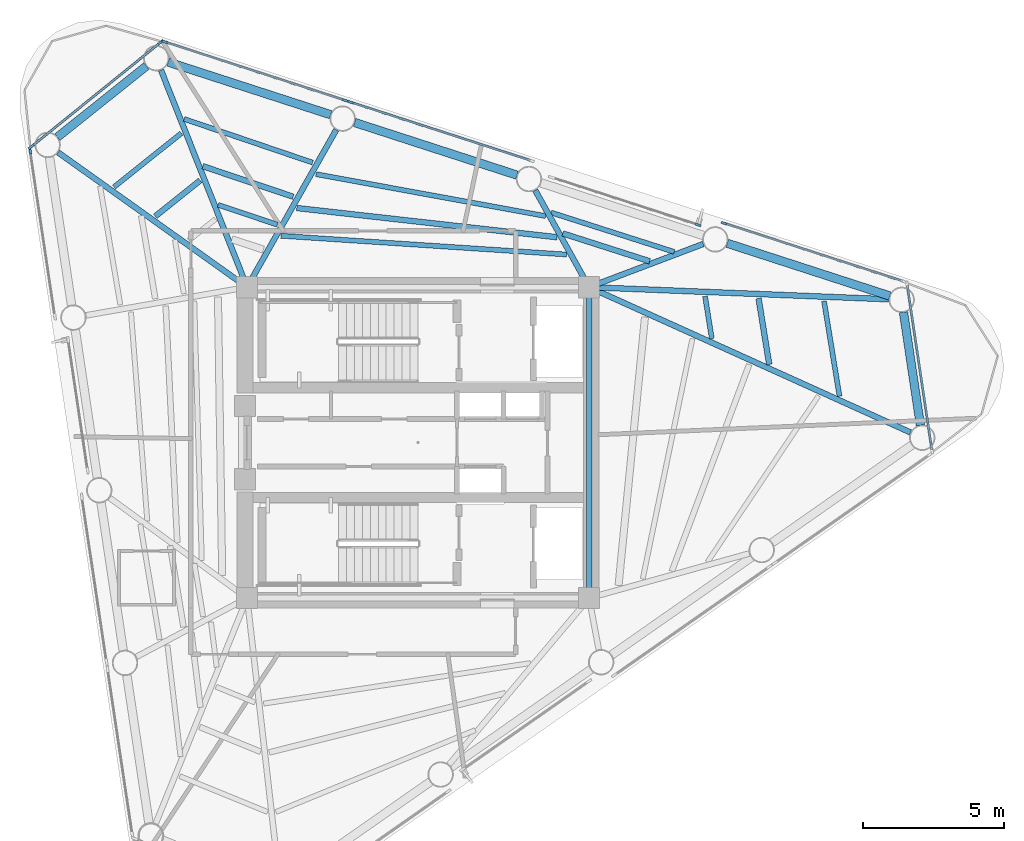
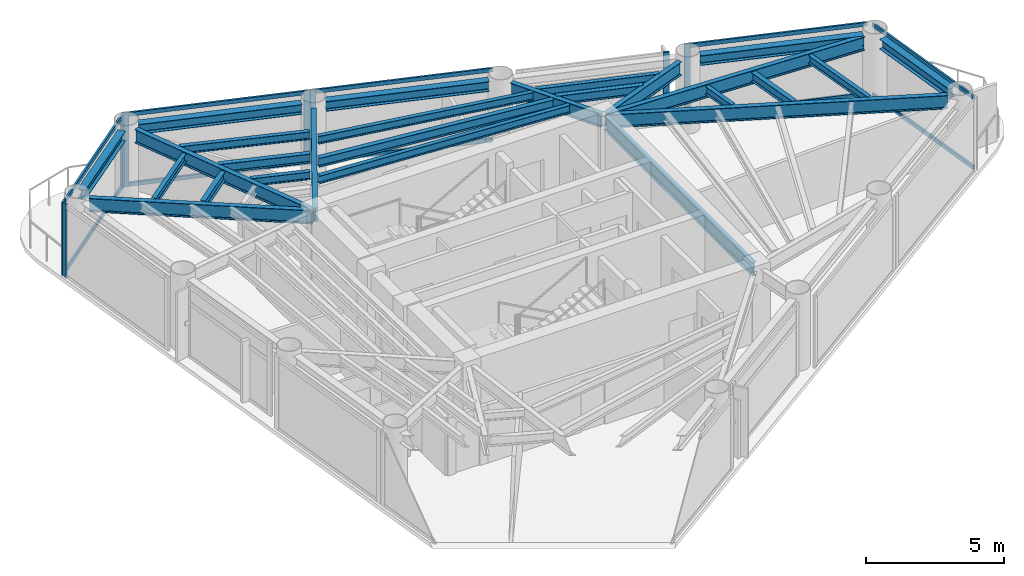
# One storey, part 3 of 9: 26 beams, 18 members, 7 elements without a shape of their own.
"""IFC4 building model written with IfcOpenShell, lengths in metres."""

from ifc_helpers import new_model, si_unit, direction, frame, origin, origin_2d, place, context, subcontext, project, spatial, rectangle, i_section, extrude, source, transform, mapped, material, layer, layer_set, material_profile, profile_set, type_object, element, aggregate, save


model = new_model("IFC4")

# Units and contexts
model_context = context("Model", 3, precision=1e-05, world=origin(), true_north=direction((0.0, 1.0)))
body_context = subcontext(model_context, "Body", "Model", "MODEL_VIEW")
ifc_project = project(units=[si_unit("LENGTHUNIT", "METRE"), si_unit("AREAUNIT", "SQUARE_METRE"), si_unit("VOLUMEUNIT", "CUBIC_METRE"), si_unit("PLANEANGLEUNIT", "RADIAN"), si_unit("MASSUNIT", "GRAM", prefix="KILO")], contexts=[model_context])

# Site, building, storey
site_placement = place(None, origin())
site = spatial("IfcSite", under=ifc_project, at=site_placement, CompositionType="ELEMENT")
building_placement = place(site_placement, origin())
building = spatial("IfcBuilding", under=site, at=building_placement, Name="Yunling Apex Tower", CompositionType="ELEMENT")
storey_placement = place(building_placement, frame((0.0, 0.0, 281.35009765625)))
storey = spatial("IfcBuildingStorey", under=building, at=storey_placement, Name="L69", CompositionType="ELEMENT", Elevation=281.35009765625)

# Beams
ifc_material_1 = material(Name="Steel Q355B", Category="steel")
ifc_material_profile_1 = material_profile(ifc_material_1, i_section(OverallWidth=0.199951171875, OverallDepth=0.60009765625, WebThickness=0.010986328125, FlangeThickness=0.01708984375, FilletRadius=0.02197265625, at=origin_2d()))
ifc_profile_set_1 = profile_set([ifc_material_profile_1], Name="Steel Q355B")
beam_type_1 = type_object("IfcBeamType", Name="BG-PRI-5", PredefinedType="USERDEFINED", material=ifc_profile_set_1)
shared_shape_1 = source(origin(), body_context, "Body", "SweptSolid", [
    extrude(i_section(OverallWidth=0.199951171875, OverallDepth=0.60009765625, WebThickness=0.010986328125, FlangeThickness=0.01708984375, FilletRadius=0.02197265625, at=origin_2d()), origin(), (0.0, 0.0, 1.0), 10.7001953125),
])
beam_1_placement = place(storey_placement, frame((6.050048828125, -5.35009765625, 2.8798828125), z_axis=(0.0, 1.0, 0.0), x_axis=(-1.0, 0.0, 0.0)))
element("IfcBeam", 1, at=beam_1_placement, inside=storey, type_object=beam_type_1, Name="L69 Core Ring Tie Beam 2", ObjectType="GIRDER", PredefinedType="USERDEFINED", context=body_context, shape_type="MappedRepresentation", body=[
    mapped(shared_shape_1, transform((0.0, 0.0, 0.0), scale=1.0)),
])
ifc_material_profile_2 = material_profile(ifc_material_1, i_section(OverallWidth=0.300048828125, OverallDepth=0.43994140625, WebThickness=0.010986328125, FlangeThickness=0.01806640625, FilletRadius=0.02197265625, at=origin_2d()))
ifc_profile_set_2 = profile_set([ifc_material_profile_2], Name="Steel Q355B")
beam_type_2 = type_object("IfcBeamType", Name="BP-SPN-3", PredefinedType="SPANDREL", material=ifc_profile_set_2)
shared_shape_2 = source(origin(), body_context, "Body", "SweptSolid", [
    extrude(i_section(OverallWidth=0.300048828125, OverallDepth=0.43994140625, WebThickness=0.010986328125, FlangeThickness=0.01806640625, FilletRadius=0.02197265625, at=origin_2d()), origin(), (0.0, 0.0, 1.0), 6.043701171875),
])
for number, where, z_axis, x_axis, name in (
    (2, (16.687744140625, 5.189208984375, 2.9599609375), (-0.951260618597, 0.308388124782, 0.0), (-0.308388124782, -0.951260618597, 0.0), "L69 Perimeter Spandrel Beam 6"),
    (3, (3.5, 9.464111328125, 2.9599609375), (-0.951264460229, 0.30837627455, 0.0), (-0.30837627455, -0.951264460229, 0.0), "L69 Perimeter Spandrel Beam 8"),
    (4, (-3.093994140625, 11.601806640625, 2.9599609375), (-0.951276309474, 0.308339720167, 0.0), (-0.308339720167, -0.951276309474, 0.0), "L69 Perimeter Spandrel Beam 9"),
):
    element("IfcBeam", number, at=place(storey_placement, frame(where, z_axis=z_axis, x_axis=x_axis)), inside=storey, type_object=beam_type_2, Name=name, PredefinedType="SPANDREL", context=body_context, shape_type="MappedRepresentation", body=[
        mapped(shared_shape_2, transform((0.0, 0.0, 0.0), scale=1.0)),
    ])
shared_shape_3 = source(origin(), body_context, "Body", "SweptSolid", [
    extrude(i_section(OverallWidth=0.300048828125, OverallDepth=0.43994140625, WebThickness=0.010986328125, FlangeThickness=0.01806640625, FilletRadius=0.02197265625, at=origin_2d()), origin(), (0.0, 0.0, 1.0), 4.047607421875),
])
beam_2_placement = place(storey_placement, frame((17.774169921875, 0.610107421875, 2.9599609375), z_axis=(-0.147836074483, 0.98901187813, 0.0), x_axis=(-0.98901187813, -0.147836074483, 0.0)))
element("IfcBeam", 5, at=beam_2_placement, inside=storey, type_object=beam_type_2, Name="L69 Perimeter Spandrel Beam 5", PredefinedType="SPANDREL", context=body_context, shape_type="MappedRepresentation", body=[
    mapped(shared_shape_3, transform((0.0, 0.0, 0.0), scale=1.0)),
])
shared_shape_4 = source(origin(), body_context, "Body", "SweptSolid", [
    extrude(i_section(OverallWidth=0.300048828125, OverallDepth=0.43994140625, WebThickness=0.010986328125, FlangeThickness=0.01806640625, FilletRadius=0.02197265625, at=origin_2d()), origin(), (0.0, 0.0, 1.0), 4.03125),
])
beam_3_placement = place(storey_placement, frame((-9.612548828125, 13.3251953125, 2.9599609375), z_axis=(-0.781412081213, -0.624015351842, 0.0), x_axis=(0.624015351842, -0.781412081213, 0.0)))
element("IfcBeam", 6, at=beam_3_placement, inside=storey, type_object=beam_type_2, Name="L69 Perimeter Spandrel Beam 10", PredefinedType="SPANDREL", context=body_context, shape_type="MappedRepresentation", body=[
    mapped(shared_shape_4, transform((0.0, 0.0, 0.0), scale=1.0)),
])
shared_shape_5 = source(origin(), body_context, "Body", "SweptSolid", [
    extrude(i_section(OverallWidth=0.199951171875, OverallDepth=0.60009765625, WebThickness=0.010986328125, FlangeThickness=0.01708984375, FilletRadius=0.02197265625, at=origin_2d()), origin(), (0.0, 0.0, 1.0), 12.400146484375),
])
beam_4_placement = place(storey_placement, frame((17.42236328125, 0.359619140625, 2.8798828125), z_axis=(-0.911237617223, 0.411881056809, 0.0), x_axis=(-0.411881056809, -0.911237617223, 0.0)))
element("IfcBeam", 7, at=beam_4_placement, inside=storey, type_object=beam_type_1, Name="L69 Radial Primary Girder R05", ObjectType="GIRDER", PredefinedType="USERDEFINED", context=body_context, shape_type="MappedRepresentation", body=[
    mapped(shared_shape_5, transform((0.0, 0.0, 0.0), scale=1.0)),
])
shared_shape_6 = source(origin(), body_context, "Body", "SweptSolid", [
    extrude(i_section(OverallWidth=0.199951171875, OverallDepth=0.60009765625, WebThickness=0.010986328125, FlangeThickness=0.01708984375, FilletRadius=0.02197265625, at=origin_2d()), origin(), (0.0, 0.0, 1.0), 10.53125),
])
beam_5_placement = place(storey_placement, frame((16.652587890625, 5.07080078125, 2.8798828125), z_axis=(-0.99918143594, 0.040453158992, 0.0), x_axis=(-0.040453158992, -0.99918143594, 0.0)))
element("IfcBeam", 8, at=beam_5_placement, inside=storey, type_object=beam_type_1, Name="L69 Radial Primary Girder R06", ObjectType="GIRDER", PredefinedType="USERDEFINED", context=body_context, shape_type="MappedRepresentation", body=[
    mapped(shared_shape_6, transform((0.0, 0.0, 0.0), scale=1.0)),
])
shared_shape_7 = source(origin(), body_context, "Body", "SweptSolid", [
    extrude(i_section(OverallWidth=0.199951171875, OverallDepth=0.60009765625, WebThickness=0.010986328125, FlangeThickness=0.01708984375, FilletRadius=0.02197265625, at=origin_2d()), origin(), (0.0, 0.0, 1.0), 4.2373046875),
])
beam_6_placement = place(storey_placement, frame((10.087890625, 7.02783203125, 2.8798828125), z_axis=(-0.935290380754, -0.353881199938, 0.0), x_axis=(0.353881199938, -0.935290380754, 0.0)))
element("IfcBeam", 9, at=beam_6_placement, inside=storey, type_object=beam_type_1, Name="L69 Radial Primary Girder R07", ObjectType="GIRDER", PredefinedType="USERDEFINED", context=body_context, shape_type="MappedRepresentation", body=[
    mapped(shared_shape_7, transform((0.0, 0.0, 0.0), scale=1.0)),
])
shared_shape_8 = source(origin(), body_context, "Body", "SweptSolid", [
    extrude(i_section(OverallWidth=0.199951171875, OverallDepth=0.60009765625, WebThickness=0.010986328125, FlangeThickness=0.01708984375, FilletRadius=0.02197265625, at=origin_2d()), origin(), (0.0, 0.0, 1.0), 3.841064453125),
])
beam_7_placement = place(storey_placement, frame((4.144775390625, 8.927001953125, 2.8798828125), z_axis=(0.485864181632, -0.874034322557, 0.0), x_axis=(0.874034322557, 0.485864181632, 0.0)))
element("IfcBeam", 10, at=beam_7_placement, inside=storey, type_object=beam_type_1, Name="L69 Radial Primary Girder R08", ObjectType="GIRDER", PredefinedType="USERDEFINED", context=body_context, shape_type="MappedRepresentation", body=[
    mapped(shared_shape_8, transform((0.0, 0.0, 0.0), scale=1.0)),
])
shared_shape_9 = source(origin(), body_context, "Body", "SweptSolid", [
    extrude(i_section(OverallWidth=0.199951171875, OverallDepth=0.60009765625, WebThickness=0.010986328125, FlangeThickness=0.01708984375, FilletRadius=0.02197265625, at=origin_2d()), origin(), (0.0, 0.0, 1.0), 6.317138671875),
])
beam_8_placement = place(storey_placement, frame((-2.8974609375, 11.06640625, 2.8798828125), z_axis=(-0.492793153417, -0.870146486487, 0.0), x_axis=(0.870146486487, -0.492793153417, 0.0)))
element("IfcBeam", 11, at=beam_8_placement, inside=storey, type_object=beam_type_1, Name="L69 Radial Primary Girder R09", ObjectType="GIRDER", PredefinedType="USERDEFINED", context=body_context, shape_type="MappedRepresentation", body=[
    mapped(shared_shape_9, transform((0.0, 0.0, 0.0), scale=1.0)),
])
shared_shape_10 = source(origin(), body_context, "Body", "SweptSolid", [
    extrude(i_section(OverallWidth=0.199951171875, OverallDepth=0.60009765625, WebThickness=0.010986328125, FlangeThickness=0.01708984375, FilletRadius=0.02197265625, at=origin_2d()), origin(), (0.0, 0.0, 1.0), 8.178955078125),
])
beam_9_placement = place(storey_placement, frame((-9.0966796875, 13.176513671875, 2.8798828125), z_axis=(0.368888092437, -0.929473816338, 0.0), x_axis=(0.929473816338, 0.368888092437, 0.0)))
element("IfcBeam", 12, at=beam_9_placement, inside=storey, type_object=beam_type_1, Name="L69 Radial Primary Girder R10", ObjectType="GIRDER", PredefinedType="USERDEFINED", context=body_context, shape_type="MappedRepresentation", body=[
    mapped(shared_shape_10, transform((0.0, 0.0, 0.0), scale=1.0)),
])
shared_shape_11 = source(origin(), body_context, "Body", "SweptSolid", [
    extrude(i_section(OverallWidth=0.199951171875, OverallDepth=0.60009765625, WebThickness=0.010986328125, FlangeThickness=0.01708984375, FilletRadius=0.02197265625, at=origin_2d()), origin(), (0.0, 0.0, 1.0), 8.132080078125),
])
beam_10_placement = place(storey_placement, frame((-12.73681640625, 10.2666015625, 2.8798828125), z_axis=(0.814294994921, -0.580451256564, 0.0), x_axis=(0.580451256564, 0.814294994921, 0.0)))
element("IfcBeam", 13, at=beam_10_placement, inside=storey, type_object=beam_type_1, Name="L69 Radial Primary Girder R11", ObjectType="GIRDER", PredefinedType="USERDEFINED", context=body_context, shape_type="MappedRepresentation", body=[
    mapped(shared_shape_11, transform((0.0, 0.0, 0.0), scale=1.0)),
])
ifc_material_profile_3 = material_profile(ifc_material_1, i_section(OverallWidth=0.199951171875, OverallDepth=0.39990234375, WebThickness=0.008056640625, FlangeThickness=0.012939453125, FilletRadius=0.01611328125, at=origin_2d()))
ifc_profile_set_3 = profile_set([ifc_material_profile_3], Name="Steel Q355B")
beam_type_3 = type_object("IfcBeamType", Name="BS-SEC-4", PredefinedType="BEAM", material=ifc_profile_set_3)
shared_shape_12 = source(origin(), body_context, "Body", "SweptSolid", [
    extrude(i_section(OverallWidth=0.199951171875, OverallDepth=0.39990234375, WebThickness=0.008056640625, FlangeThickness=0.012939453125, FilletRadius=0.01611328125, at=origin_2d()), origin(), (0.0, 0.0, 1.0), 2.36572265625),
])
beam_11_placement = place(storey_placement, frame((12.425048828125, 2.764892578125, 2.97998046875), z_axis=(-0.159342756426, 0.987223321227, 0.0), x_axis=(-0.987223321227, -0.159342756426, 0.0)))
element("IfcBeam", 14, at=beam_11_placement, inside=storey, type_object=beam_type_3, Name="L69 Composite Floor Beam BS-5", PredefinedType="BEAM", context=body_context, shape_type="MappedRepresentation", body=[
    mapped(shared_shape_12, transform((0.0, 0.0, 0.0), scale=1.0)),
])
ifc_material_profile_4 = material_profile(ifc_material_1, i_section(OverallWidth=0.175048828125, OverallDepth=0.35009765625, WebThickness=0.007080078125, FlangeThickness=0.010986328125, FilletRadius=0.013916015625, at=origin_2d()))
ifc_profile_set_4 = profile_set([ifc_material_profile_4], Name="Steel Q355B")
beam_type_4 = type_object("IfcBeamType", Name="BJ-JST-1", PredefinedType="JOIST", material=ifc_profile_set_4)
shared_shape_13 = source(origin(), body_context, "Body", "SweptSolid", [
    extrude(i_section(OverallWidth=0.175048828125, OverallDepth=0.35009765625, WebThickness=0.007080078125, FlangeThickness=0.010986328125, FilletRadius=0.013916015625, at=origin_2d()), origin(), (0.0, 0.0, 1.0), 3.40966796875),
])
beam_12_placement = place(storey_placement, frame((14.910888671875, 1.64111328125, 3.0048828125), z_axis=(-0.160600982695, 0.987019414377, 0.0), x_axis=(-0.987019414377, -0.160600982695, 0.0)))
element("IfcBeam", 15, at=beam_12_placement, inside=storey, type_object=beam_type_4, Name="L69 Composite Floor Joist BJ1-5", PredefinedType="JOIST", context=body_context, shape_type="MappedRepresentation", body=[
    mapped(shared_shape_13, transform((0.0, 0.0, 0.0), scale=1.0)),
])
shared_shape_14 = source(origin(), body_context, "Body", "SweptSolid", [
    extrude(i_section(OverallWidth=0.175048828125, OverallDepth=0.35009765625, WebThickness=0.007080078125, FlangeThickness=0.010986328125, FilletRadius=0.013916015625, at=origin_2d()), origin(), (0.0, 0.0, 1.0), 1.51171875),
])
beam_13_placement = place(storey_placement, frame((10.3916015625, 3.68408203125, 3.0048828125), z_axis=(-0.157297614413, 0.987551244493, 0.0), x_axis=(-0.987551244493, -0.157297614413, 0.0)))
element("IfcBeam", 16, at=beam_13_placement, inside=storey, type_object=beam_type_4, Name="L69 Composite Floor Joist BJ3-5", PredefinedType="JOIST", context=body_context, shape_type="MappedRepresentation", body=[
    mapped(shared_shape_14, transform((0.0, 0.0, 0.0), scale=1.0)),
])
shared_shape_15 = source(origin(), body_context, "Body", "SweptSolid", [
    extrude(i_section(OverallWidth=0.199951171875, OverallDepth=0.39990234375, WebThickness=0.008056640625, FlangeThickness=0.012939453125, FilletRadius=0.01611328125, at=origin_2d()), origin(), (0.0, 0.0, 1.0), 3.22705078125),
])
beam_14_placement = place(storey_placement, frame((8.191650390625, 6.416748046875, 2.97998046875), z_axis=(-0.952339781695, 0.305039243708, 0.0), x_axis=(-0.305039243708, -0.952339781695, 0.0)))
element("IfcBeam", 17, at=beam_14_placement, inside=storey, type_object=beam_type_3, Name="L69 Composite Floor Beam BS-7", PredefinedType="BEAM", context=body_context, shape_type="MappedRepresentation", body=[
    mapped(shared_shape_15, transform((0.0, 0.0, 0.0), scale=1.0)),
])
shared_shape_16 = source(origin(), body_context, "Body", "SweptSolid", [
    extrude(i_section(OverallWidth=0.175048828125, OverallDepth=0.35009765625, WebThickness=0.007080078125, FlangeThickness=0.010986328125, FilletRadius=0.013916015625, at=origin_2d()), origin(), (0.0, 0.0, 1.0), 4.572998046875),
])
beam_15_placement = place(storey_placement, frame((9.0634765625, 6.74658203125, 3.0048828125), z_axis=(-0.952472485452, 0.304624628776, 0.0), x_axis=(-0.304624628776, -0.952472485452, 0.0)))
element("IfcBeam", 18, at=beam_15_placement, inside=storey, type_object=beam_type_4, Name="L69 Composite Floor Joist BJ1-7", PredefinedType="JOIST", context=body_context, shape_type="MappedRepresentation", body=[
    mapped(shared_shape_16, transform((0.0, 0.0, 0.0), scale=1.0)),
])
shared_shape_17 = source(origin(), body_context, "Body", "SweptSolid", [
    extrude(i_section(OverallWidth=0.199951171875, OverallDepth=0.39990234375, WebThickness=0.008056640625, FlangeThickness=0.012939453125, FilletRadius=0.01611328125, at=origin_2d()), origin(), (0.0, 0.0, 1.0), 9.271728515625),
])
beam_16_placement = place(storey_placement, frame((4.9189453125, 7.266357421875, 2.97998046875), z_axis=(-0.993765641634, 0.111489234941, 0.0), x_axis=(-0.111489234941, -0.993765641634, 0.0)))
element("IfcBeam", 19, at=beam_16_placement, inside=storey, type_object=beam_type_3, Name="L69 Composite Floor Beam BS-8", PredefinedType="BEAM", context=body_context, shape_type="MappedRepresentation", body=[
    mapped(shared_shape_17, transform((0.0, 0.0, 0.0), scale=1.0)),
])
shared_shape_18 = source(origin(), body_context, "Body", "SweptSolid", [
    extrude(i_section(OverallWidth=0.175048828125, OverallDepth=0.35009765625, WebThickness=0.007080078125, FlangeThickness=0.010986328125, FilletRadius=0.013916015625, at=origin_2d()), origin(), (0.0, 0.0, 1.0), 8.256103515625),
])
beam_17_placement = place(storey_placement, frame((4.510009765625, 8.015625, 3.0048828125), z_axis=(-0.983737162393, 0.179614017626, 0.0), x_axis=(-0.179614017626, -0.983737162393, 0.0)))
element("IfcBeam", 20, at=beam_17_placement, inside=storey, type_object=beam_type_4, Name="L69 Composite Floor Joist BJ1-8", PredefinedType="JOIST", context=body_context, shape_type="MappedRepresentation", body=[
    mapped(shared_shape_18, transform((0.0, 0.0, 0.0), scale=1.0)),
])
shared_shape_19 = source(origin(), body_context, "Body", "SweptSolid", [
    extrude(i_section(OverallWidth=0.175048828125, OverallDepth=0.35009765625, WebThickness=0.007080078125, FlangeThickness=0.010986328125, FilletRadius=0.013916015625, at=origin_2d()), origin(), (0.0, 0.0, 1.0), 10.130615234375),
])
beam_18_placement = place(storey_placement, frame((5.254150390625, 6.654541015625, 3.0048828125), z_axis=(-0.997852458327, 0.065501690135, 0.0), x_axis=(-0.065501690135, -0.997852458327, 0.0)))
element("IfcBeam", 21, at=beam_18_placement, inside=storey, type_object=beam_type_4, Name="L69 Composite Floor Joist BJ3-8", PredefinedType="JOIST", context=body_context, shape_type="MappedRepresentation", body=[
    mapped(shared_shape_19, transform((0.0, 0.0, 0.0), scale=1.0)),
])
shared_shape_20 = source(origin(), body_context, "Body", "SweptSolid", [
    extrude(i_section(OverallWidth=0.199951171875, OverallDepth=0.39990234375, WebThickness=0.008056640625, FlangeThickness=0.012939453125, FilletRadius=0.01611328125, at=origin_2d()), origin(), (0.0, 0.0, 1.0), 3.37646484375),
])
beam_19_placement = place(storey_placement, frame((-4.418701171875, 8.698974609375, 2.97998046875), z_axis=(-0.947337172377, 0.320237851966, 0.0), x_axis=(-0.320237851966, -0.947337172377, 0.0)))
element("IfcBeam", 22, at=beam_19_placement, inside=storey, type_object=beam_type_3, Name="L69 Composite Floor Beam BS-9", PredefinedType="BEAM", context=body_context, shape_type="MappedRepresentation", body=[
    mapped(shared_shape_20, transform((0.0, 0.0, 0.0), scale=1.0)),
])
shared_shape_21 = source(origin(), body_context, "Body", "SweptSolid", [
    extrude(i_section(OverallWidth=0.175048828125, OverallDepth=0.35009765625, WebThickness=0.007080078125, FlangeThickness=0.010986328125, FilletRadius=0.013916015625, at=origin_2d()), origin(), (0.0, 0.0, 1.0), 4.802490234375),
])
beam_20_placement = place(storey_placement, frame((-3.73388671875, 9.908447265625, 3.0048828125), z_axis=(-0.946894147211, 0.32154544621, 0.0), x_axis=(-0.32154544621, -0.946894147211, 0.0)))
element("IfcBeam", 23, at=beam_20_placement, inside=storey, type_object=beam_type_4, Name="L69 Composite Floor Joist BJ1-9", PredefinedType="JOIST", context=body_context, shape_type="MappedRepresentation", body=[
    mapped(shared_shape_21, transform((0.0, 0.0, 0.0), scale=1.0)),
])
shared_shape_22 = source(origin(), body_context, "Body", "SweptSolid", [
    extrude(i_section(OverallWidth=0.175048828125, OverallDepth=0.35009765625, WebThickness=0.007080078125, FlangeThickness=0.010986328125, FilletRadius=0.013916015625, at=origin_2d()), origin(), (0.0, 0.0, 1.0), 2.209716796875),
])
beam_21_placement = place(storey_placement, frame((-4.979248046875, 7.709228515625, 3.0048828125), z_axis=(-0.948029450248, 0.318182591389, 0.0), x_axis=(-0.318182591389, -0.948029450248, 0.0)))
element("IfcBeam", 24, at=beam_21_placement, inside=storey, type_object=beam_type_4, Name="L69 Composite Floor Joist BJ3-9", PredefinedType="JOIST", context=body_context, shape_type="MappedRepresentation", body=[
    mapped(shared_shape_22, transform((0.0, 0.0, 0.0), scale=1.0)),
])
shared_shape_23 = source(origin(), body_context, "Body", "SweptSolid", [
    extrude(i_section(OverallWidth=0.199951171875, OverallDepth=0.39990234375, WebThickness=0.008056640625, FlangeThickness=0.012939453125, FilletRadius=0.01611328125, at=origin_2d()), origin(), (0.0, 0.0, 1.0), 2.032958984375),
])
beam_22_placement = place(storey_placement, frame((-7.712890625, 9.275634765625, 2.97998046875), z_axis=(-0.781161617118, -0.624328862013, 0.0), x_axis=(0.624328862013, -0.781161617118, 0.0)))
element("IfcBeam", 25, at=beam_22_placement, inside=storey, type_object=beam_type_3, Name="L69 Composite Floor Beam BS-10", PredefinedType="BEAM", context=body_context, shape_type="MappedRepresentation", body=[
    mapped(shared_shape_23, transform((0.0, 0.0, 0.0), scale=1.0)),
])
shared_shape_24 = source(origin(), body_context, "Body", "SweptSolid", [
    extrude(i_section(OverallWidth=0.175048828125, OverallDepth=0.35009765625, WebThickness=0.007080078125, FlangeThickness=0.010986328125, FilletRadius=0.013916015625, at=origin_2d()), origin(), (0.0, 0.0, 1.0), 3.048095703125),
])
beam_23_placement = place(storey_placement, frame((-8.376708984375, 10.947998046875, 3.0048828125), z_axis=(-0.78115784601, -0.624333580401, 0.0), x_axis=(0.624333580401, -0.78115784601, 0.0)))
element("IfcBeam", 26, at=beam_23_placement, inside=storey, type_object=beam_type_4, Name="L69 Composite Floor Joist BJ1-10", PredefinedType="JOIST", context=body_context, shape_type="MappedRepresentation", body=[
    mapped(shared_shape_24, transform((0.0, 0.0, 0.0), scale=1.0)),
])

# Curtain wall, member
ifc_material_2 = material(Name="Bronze anodised aluminium", Category="aluminium")
ifc_layer = layer(ifc_material_2, 0.219970703125)
ifc_layer_set = layer_set([ifc_layer], Name="Bronze anodised aluminium")
curtain_wall_type = type_object("IfcCurtainWallType", Name="CW-SYS-4", PredefinedType="NOTDEFINED", material=ifc_layer_set)
curtain_wall_1_placement = place(storey_placement, origin())
curtain_wall_1 = element("IfcCurtainWall", 27, at=curtain_wall_1_placement, inside=storey, type_object=curtain_wall_type, Name="CW-L69-F2-B1", PredefinedType="NOTDEFINED")
ifc_material_profile_5 = material_profile(ifc_material_2, rectangle(XDim=0.080078125, YDim=0.219970703125, at=origin_2d()))
ifc_profile_set_5 = profile_set([ifc_material_profile_5], Name="Bronze anodised aluminium")
member_type_1 = type_object("IfcMemberType", Name="CW-MUL-4", PredefinedType="MULLION", material=ifc_profile_set_5)
shared_shape_25 = source(origin(), body_context, "Body", "SweptSolid", [
    extrude(rectangle(XDim=0.080078125, YDim=0.219970703125, at=origin_2d()), origin(), (0.0, 0.0, 1.0), 3.280029296875),
])
member_1_placement = place(storey_placement, frame((10.82763671875, 7.76171875, -0.050048828125), z_axis=(0.0, 0.0, 1.0), x_axis=(-0.308353381834, -0.951271881173, 0.0)))
member_1 = element("IfcMember", 28, at=member_1_placement, type_object=member_type_1, Name="CW-SYS-4 mullion 2", PredefinedType="MULLION", context=body_context, shape_type="MappedRepresentation", body=[
    mapped(shared_shape_25, transform((0.0, 0.0, 0.0), scale=1.0)),
])

curtain_wall_2_placement = place(storey_placement, origin())
curtain_wall_2 = element("IfcCurtainWall", 29, at=curtain_wall_2_placement, inside=storey, type_object=curtain_wall_type, Name="CW-L69-F2-B2", PredefinedType="NOTDEFINED")
member_2_placement = place(storey_placement, frame((9.90478515625, 7.703369140625, -0.050048828125), z_axis=(0.0, 0.0, 1.0), x_axis=(-0.30836941685, -0.951266683297, 0.0)))
member_2 = element("IfcMember", 30, at=member_2_placement, type_object=member_type_1, Name="CW-SYS-4 mullion 1", PredefinedType="MULLION", context=body_context, shape_type="MappedRepresentation", body=[
    mapped(shared_shape_25, transform((0.0, 0.0, 0.0), scale=1.0)),
])
aggregate(curtain_wall_2, [member_2])

curtain_wall_3_placement = place(storey_placement, origin())
curtain_wall_3 = element("IfcCurtainWall", 31, at=curtain_wall_3_placement, inside=storey, type_object=curtain_wall_type, Name="CW-L69-F2-B3", PredefinedType="NOTDEFINED")
member_3_placement = place(storey_placement, frame((-2.360107421875, 12.03662109375, -0.050048828125), z_axis=(0.0, 0.0, 1.0), x_axis=(-0.308371076658, -0.95126614524, 0.0)))
member_3 = element("IfcMember", 32, at=member_3_placement, type_object=member_type_1, Name="CW-SYS-4 mullion 2", PredefinedType="MULLION", context=body_context, shape_type="MappedRepresentation", body=[
    mapped(shared_shape_25, transform((0.0, 0.0, 0.0), scale=1.0)),
])

# Curtain wall, members
curtain_wall_4_placement = place(storey_placement, origin())
curtain_wall_4 = element("IfcCurtainWall", 33, at=curtain_wall_4_placement, inside=storey, type_object=curtain_wall_type, Name="CW-L69-F2-B4", PredefinedType="NOTDEFINED")
member_4_placement = place(storey_placement, frame((-2.58837890625, 12.110595703125, -0.050048828125), z_axis=(0.0, 0.0, 1.0), x_axis=(-0.308353381834, -0.951271881173, 0.0)))
member_4 = element("IfcMember", 34, at=member_4_placement, type_object=member_type_1, Name="CW-SYS-4 mullion 1", PredefinedType="MULLION", context=body_context, shape_type="MappedRepresentation", body=[
    mapped(shared_shape_25, transform((0.0, 0.0, 0.0), scale=1.0)),
])
member_5_placement = place(storey_placement, frame((-8.9541015625, 14.174072265625, -0.050048828125), z_axis=(0.0, 0.0, 1.0), x_axis=(-0.308353381834, -0.951271881173, 0.0)))
member_5 = element("IfcMember", 35, at=member_5_placement, type_object=member_type_1, Name="CW-SYS-4 mullion 2", PredefinedType="MULLION", context=body_context, shape_type="MappedRepresentation", body=[
    mapped(shared_shape_25, transform((0.0, 0.0, 0.0), scale=1.0)),
])

curtain_wall_5_placement = place(storey_placement, origin())
curtain_wall_5 = element("IfcCurtainWall", 36, at=curtain_wall_5_placement, inside=storey, type_object=curtain_wall_type, Name="CW-L69-CRN2", PredefinedType="NOTDEFINED")
member_6_placement = place(storey_placement, frame((-9.10546875, 14.1669921875, -0.050048828125), z_axis=(0.0, 0.0, 1.0), x_axis=(0.627988675266, -0.778222477019, 0.0)))
member_6 = element("IfcMember", 37, at=member_6_placement, type_object=member_type_1, Name="CW-SYS-4 mullion 1", PredefinedType="MULLION", context=body_context, shape_type="MappedRepresentation", body=[
    mapped(shared_shape_25, transform((0.0, 0.0, 0.0), scale=1.0)),
])
member_7_placement = place(storey_placement, frame((-13.69189453125, 10.4658203125, -0.050048828125), z_axis=(0.0, 0.0, 1.0), x_axis=(0.627988675266, -0.778222477019, 0.0)))
member_7 = element("IfcMember", 38, at=member_7_placement, type_object=member_type_1, Name="CW-SYS-4 mullion 2", PredefinedType="MULLION", context=body_context, shape_type="MappedRepresentation", body=[
    mapped(shared_shape_25, transform((0.0, 0.0, 0.0), scale=1.0)),
])

# Curtain wall, member
curtain_wall_6_placement = place(storey_placement, origin())
curtain_wall_6 = element("IfcCurtainWall", 39, at=curtain_wall_6_placement, inside=storey, type_object=curtain_wall_type, Name="CW-L69-F3-B1", PredefinedType="NOTDEFINED")
member_8_placement = place(storey_placement, frame((-13.72509765625, 10.3193359375, -0.050048828125), z_axis=(0.0, 0.0, 1.0), x_axis=(0.989016174309, 0.147807330522, 0.0)))
member_8 = element("IfcMember", 40, at=member_8_placement, type_object=member_type_1, Name="CW-SYS-4 mullion 1", PredefinedType="MULLION", context=body_context, shape_type="MappedRepresentation", body=[
    mapped(shared_shape_25, transform((0.0, 0.0, 0.0), scale=1.0)),
])
aggregate(curtain_wall_6, [member_8])

# Member
ifc_material_profile_6 = material_profile(ifc_material_2, rectangle(XDim=0.080078125, YDim=0.169921875, at=origin_2d()))
ifc_profile_set_6 = profile_set([ifc_material_profile_6], Name="Bronze anodised aluminium")
member_type_2 = type_object("IfcMemberType", Name="CW-TRN-4", PredefinedType="USERDEFINED", material=ifc_profile_set_6)
shared_shape_26 = source(origin(), body_context, "Body", "SweptSolid", [
    extrude(rectangle(XDim=0.080078125, YDim=0.169921875, at=origin_2d()), origin(), (0.0, 0.0, 1.0), 6.61962890625),
])
member_9_placement = place(storey_placement, frame((-2.622802734375, 12.121826171875, 0.039794921875), z_axis=(-0.951269317575, 0.308361290437, 0.0), x_axis=(-0.308361290437, -0.951269317575, 0.0)))
member_9 = element("IfcMember", 41, at=member_9_placement, type_object=member_type_2, Name="CW-SYS-4 transom 1.1", ObjectType="TRANSOM", PredefinedType="USERDEFINED", context=body_context, shape_type="MappedRepresentation", body=[
    mapped(shared_shape_26, transform((0.0, 0.0, 0.0), scale=1.0)),
])

member_10_placement = place(storey_placement, frame((-2.622802734375, 12.121826171875, 3.139892578125), z_axis=(-0.951269317575, 0.308361290437, 0.0), x_axis=(-0.308361290437, -0.951269317575, 0.0)))
member_10 = element("IfcMember", 42, at=member_10_placement, type_object=member_type_2, Name="CW-SYS-4 transom 1.2", ObjectType="TRANSOM", PredefinedType="USERDEFINED", context=body_context, shape_type="MappedRepresentation", body=[
    mapped(shared_shape_26, transform((0.0, 0.0, 0.0), scale=1.0)),
])

aggregate(curtain_wall_4, [member_4, member_5, member_9, member_10])

shared_shape_27 = source(origin(), body_context, "Body", "SweptSolid", [
    extrude(rectangle(XDim=0.080078125, YDim=0.169921875, at=origin_2d()), origin(), (0.0, 0.0, 1.0), 6.619873046875),
])
member_11_placement = place(storey_placement, frame((17.1591796875, 5.709228515625, 0.039794921875), z_axis=(-0.951272824274, 0.308350472348, 0.0), x_axis=(-0.308350472348, -0.951272824274, 0.0)))
member_11 = element("IfcMember", 43, at=member_11_placement, type_object=member_type_2, Name="CW-SYS-4 transom 1.1", ObjectType="TRANSOM", PredefinedType="USERDEFINED", context=body_context, shape_type="MappedRepresentation", body=[
    mapped(shared_shape_27, transform((0.0, 0.0, 0.0), scale=1.0)),
])

member_12_placement = place(storey_placement, frame((17.1591796875, 5.709228515625, 3.139892578125), z_axis=(-0.951272824274, 0.308350472348, 0.0), x_axis=(-0.308350472348, -0.951272824274, 0.0)))
member_12 = element("IfcMember", 44, at=member_12_placement, type_object=member_type_2, Name="CW-SYS-4 transom 1.2", ObjectType="TRANSOM", PredefinedType="USERDEFINED", context=body_context, shape_type="MappedRepresentation", body=[
    mapped(shared_shape_27, transform((0.0, 0.0, 0.0), scale=1.0)),
])

aggregate(curtain_wall_1, [member_1, member_11, member_12])

member_13_placement = place(storey_placement, frame((3.97119140625, 9.984130859375, 0.039794921875), z_axis=(-0.951258498664, 0.308394663895, 0.0), x_axis=(-0.308394663895, -0.951258498664, 0.0)))
member_13 = element("IfcMember", 45, at=member_13_placement, type_object=member_type_2, Name="CW-SYS-4 transom 1.1", ObjectType="TRANSOM", PredefinedType="USERDEFINED", context=body_context, shape_type="MappedRepresentation", body=[
    mapped(shared_shape_27, transform((0.0, 0.0, 0.0), scale=1.0)),
])

member_14_placement = place(storey_placement, frame((3.97119140625, 9.984130859375, 3.139892578125), z_axis=(-0.951258498664, 0.308394663895, 0.0), x_axis=(-0.308394663895, -0.951258498664, 0.0)))
member_14 = element("IfcMember", 46, at=member_14_placement, type_object=member_type_2, Name="CW-SYS-4 transom 1.2", ObjectType="TRANSOM", PredefinedType="USERDEFINED", context=body_context, shape_type="MappedRepresentation", body=[
    mapped(shared_shape_27, transform((0.0, 0.0, 0.0), scale=1.0)),
])

aggregate(curtain_wall_3, [member_3, member_13, member_14])

# Curtain wall, members
curtain_wall_7_placement = place(storey_placement, origin())
curtain_wall_7 = element("IfcCurtainWall", 47, at=curtain_wall_7_placement, inside=storey, type_object=curtain_wall_type, Name="CW-L69-CRN1", PredefinedType="NOTDEFINED")
shared_shape_28 = source(origin(), body_context, "Body", "SweptSolid", [
    extrude(rectangle(XDim=0.080078125, YDim=0.169921875, at=origin_2d()), origin(), (0.0, 0.0, 1.0), 5.89404296875),
])
member_15_placement = place(storey_placement, frame((18.183837890625, -0.26220703125, 0.039794921875), z_axis=(-0.147791520702, 0.989018536939, 0.0), x_axis=(-0.989018536939, -0.147791520702, 0.0)))
member_15 = element("IfcMember", 48, at=member_15_placement, type_object=member_type_2, Name="CW-SYS-4 transom 1.1", ObjectType="TRANSOM", PredefinedType="USERDEFINED", context=body_context, shape_type="MappedRepresentation", body=[
    mapped(shared_shape_28, transform((0.0, 0.0, 0.0), scale=1.0)),
])
member_16_placement = place(storey_placement, frame((18.183837890625, -0.26220703125, 3.139892578125), z_axis=(-0.147791520702, 0.989018536939, 0.0), x_axis=(-0.989018536939, -0.147791520702, 0.0)))
member_16 = element("IfcMember", 49, at=member_16_placement, type_object=member_type_2, Name="CW-SYS-4 transom 1.2", ObjectType="TRANSOM", PredefinedType="USERDEFINED", context=body_context, shape_type="MappedRepresentation", body=[
    mapped(shared_shape_28, transform((0.0, 0.0, 0.0), scale=1.0)),
])
aggregate(curtain_wall_7, [member_15, member_16])

# Member
shared_shape_29 = source(origin(), body_context, "Body", "SweptSolid", [
    extrude(rectangle(XDim=0.080078125, YDim=0.169921875, at=origin_2d()), origin(), (0.0, 0.0, 1.0), 5.8212890625),
])
member_17_placement = place(storey_placement, frame((-9.133544921875, 14.144287109375, 0.039794921875), z_axis=(-0.778218644613, -0.627993424469, 0.0), x_axis=(0.627993424469, -0.778218644613, 0.0)))
member_17 = element("IfcMember", 50, at=member_17_placement, type_object=member_type_2, Name="CW-SYS-4 transom 1.1", ObjectType="TRANSOM", PredefinedType="USERDEFINED", context=body_context, shape_type="MappedRepresentation", body=[
    mapped(shared_shape_29, transform((0.0, 0.0, 0.0), scale=1.0)),
])

member_18_placement = place(storey_placement, frame((-9.133544921875, 14.144287109375, 3.139892578125), z_axis=(-0.778218644613, -0.627993424469, 0.0), x_axis=(0.627993424469, -0.778218644613, 0.0)))
member_18 = element("IfcMember", 51, at=member_18_placement, type_object=member_type_2, Name="CW-SYS-4 transom 1.2", ObjectType="TRANSOM", PredefinedType="USERDEFINED", context=body_context, shape_type="MappedRepresentation", body=[
    mapped(shared_shape_29, transform((0.0, 0.0, 0.0), scale=1.0)),
])

aggregate(curtain_wall_5, [member_6, member_7, member_17, member_18])

save(model, "model.ifc")
